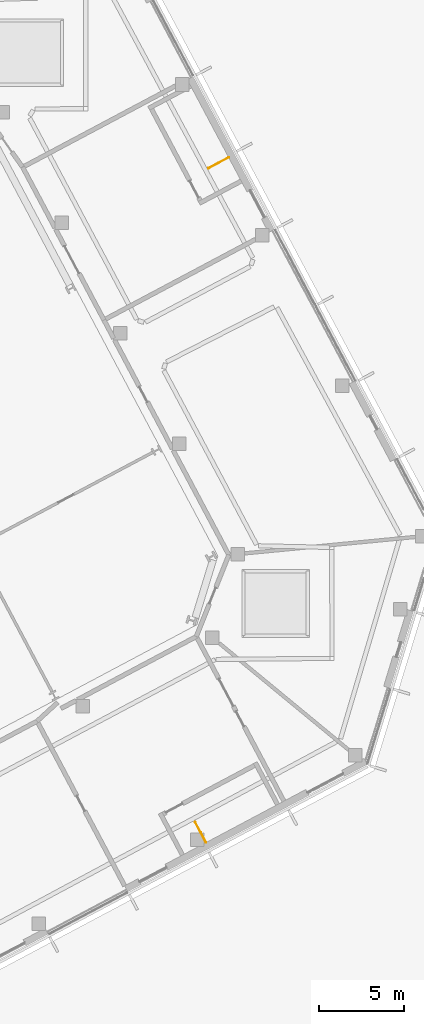
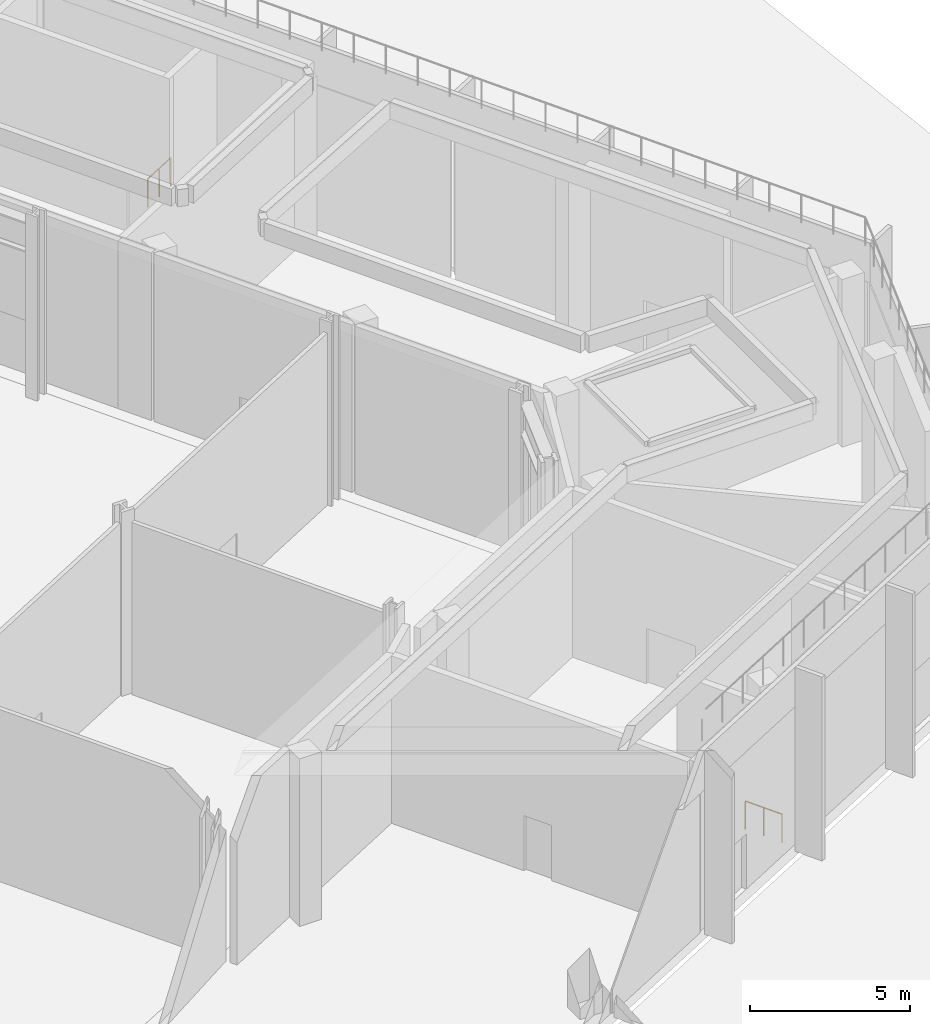
# One storey, part 56 of 57: 2 railings.
"""IFC4 building model written with IfcOpenShell, lengths in metres."""

from ifc_helpers import new_model, si_unit, direction, frame, origin, place, context, subcontext, project, spatial, polyline, outline, extrude, material, type_object, element, save


model = new_model("IFC4")

# Units and contexts
model_context = context("Model", 3, precision=1e-05, world=origin(), true_north=direction((0.0, 1.0)))
body_context = subcontext(model_context, "Body", "Model", "MODEL_VIEW")
ifc_project = project(units=[si_unit("LENGTHUNIT", "METRE"), si_unit("AREAUNIT", "SQUARE_METRE"), si_unit("VOLUMEUNIT", "CUBIC_METRE"), si_unit("PLANEANGLEUNIT", "RADIAN"), si_unit("MASSUNIT", "GRAM", prefix="KILO")], contexts=[model_context])

# Site, building, storey
site_placement = place(None, origin())
site = spatial("IfcSite", under=ifc_project, at=site_placement, CompositionType="ELEMENT")
building_placement = place(site_placement, origin())
building = spatial("IfcBuilding", under=site, at=building_placement, Name="Cormorant Relay Tower", CompositionType="ELEMENT")
storey_placement = place(building_placement, origin())
storey = spatial("IfcBuildingStorey", under=building, at=storey_placement, Name="L00", CompositionType="ELEMENT", Elevation=0.0)

# Railings
ifc_material = material(Name="Steel ASTM A572 Grade 50 (Fy 345 MPa)", Category="steel")
railing_type = type_object("IfcRailingType", Name="Podium stair guard 1100", PredefinedType="GUARDRAIL", material=ifc_material)
railing_1_placement = place(storey_placement, frame((71.327392578125, 1.003662109375, 0.0)))
element("IfcRailing", 1, at=railing_1_placement, inside=storey, type_object=railing_type, Name="L00 X1 top well guard 1", PredefinedType="GUARDRAIL", context=body_context, shape_type="SweptSolid", body=[
    extrude(outline(polyline([(0.022216796875, 0.00927734375), (0.00927734375, 0.022216796875), (-0.00927734375, 0.022216796875), (-0.022216796875, 0.00927734375), (-0.022216796875, -0.00927734375), (-0.00927734375, -0.022216796875), (0.00927734375, -0.022216796875), (0.022216796875, -0.00927734375), (0.022216796875, 0.00927734375)])), frame((0.0, 0.0, 1.076171875), z_axis=(-0.469424032979, 0.882972863265, 0.0), x_axis=(-0.882972863265, -0.469424032979, 0.0)), (0.0, 0.0, 1.0), 1.35009765625),
    extrude(outline(polyline([(0.019287109375, 0.008056640625), (0.008056640625, 0.019287109375), (-0.008056640625, 0.019287109375), (-0.019287109375, 0.008056640625), (-0.019287109375, -0.008056640625), (-0.008056640625, -0.019287109375), (0.008056640625, -0.019287109375), (0.019287109375, -0.008056640625), (0.019287109375, 0.008056640625)])), origin(), (0.0, 0.0, 1.0), 1.052001953125),
    extrude(outline(polyline([(0.019287109375, 0.008056640625), (0.008056640625, 0.019287109375), (-0.008056640625, 0.019287109375), (-0.019287109375, 0.008056640625), (-0.019287109375, -0.008056640625), (-0.008056640625, -0.019287109375), (0.008056640625, -0.019287109375), (0.019287109375, -0.008056640625), (0.019287109375, 0.008056640625)])), frame((-0.31689453125, 0.59619140625, 0.0)), (0.0, 0.0, 1.0), 1.052001953125),
    extrude(outline(polyline([(0.019287109375, 0.008056640625), (0.008056640625, 0.019287109375), (-0.008056640625, 0.019287109375), (-0.019287109375, 0.008056640625), (-0.019287109375, -0.008056640625), (-0.008056640625, -0.019287109375), (0.008056640625, -0.019287109375), (0.019287109375, -0.008056640625), (0.019287109375, 0.008056640625)])), frame((-0.6337890625, 1.192138671875, 0.0)), (0.0, 0.0, 1.0), 1.052001953125),
])
railing_2_placement = place(storey_placement, frame((72.660888671875, 41.417236328125, 0.0)))
element("IfcRailing", 2, at=railing_2_placement, inside=storey, type_object=railing_type, Name="L00 X2 top well guard 1", PredefinedType="GUARDRAIL", context=body_context, shape_type="SweptSolid", body=[
    extrude(outline(polyline([(0.022216796875, 0.00927734375), (0.00927734375, 0.022216796875), (-0.00927734375, 0.022216796875), (-0.022216796875, 0.00927734375), (-0.022216796875, -0.00927734375), (-0.00927734375, -0.022216796875), (0.00927734375, -0.022216796875), (0.022216796875, -0.00927734375), (0.022216796875, 0.00927734375)])), frame((0.0, 0.0, 1.076171875), z_axis=(-0.88293300712, -0.469498993544, 0.0), x_axis=(0.469498993544, -0.88293300712, 0.0)), (0.0, 0.0, 1.0), 1.349853515625),
    extrude(outline(polyline([(0.019287109375, 0.008056640625), (0.008056640625, 0.019287109375), (-0.008056640625, 0.019287109375), (-0.019287109375, 0.008056640625), (-0.019287109375, -0.008056640625), (-0.008056640625, -0.019287109375), (0.008056640625, -0.019287109375), (0.019287109375, -0.008056640625), (0.019287109375, 0.008056640625)])), origin(), (0.0, 0.0, 1.0), 1.052001953125),
    extrude(outline(polyline([(0.019287109375, 0.008056640625), (0.008056640625, 0.019287109375), (-0.008056640625, 0.019287109375), (-0.019287109375, 0.008056640625), (-0.019287109375, -0.008056640625), (-0.008056640625, -0.019287109375), (0.008056640625, -0.019287109375), (0.019287109375, -0.008056640625), (0.019287109375, 0.008056640625)])), frame((-0.595947265625, -0.31689453125, 0.0)), (0.0, 0.0, 1.0), 1.052001953125),
    extrude(outline(polyline([(0.019287109375, 0.008056640625), (0.008056640625, 0.019287109375), (-0.008056640625, 0.019287109375), (-0.019287109375, 0.008056640625), (-0.019287109375, -0.008056640625), (-0.008056640625, -0.019287109375), (0.008056640625, -0.019287109375), (0.019287109375, -0.008056640625), (0.019287109375, 0.008056640625)])), frame((-1.19189453125, -0.6337890625, 0.0)), (0.0, 0.0, 1.0), 1.052001953125),
])

save(model, "model.ifc")
